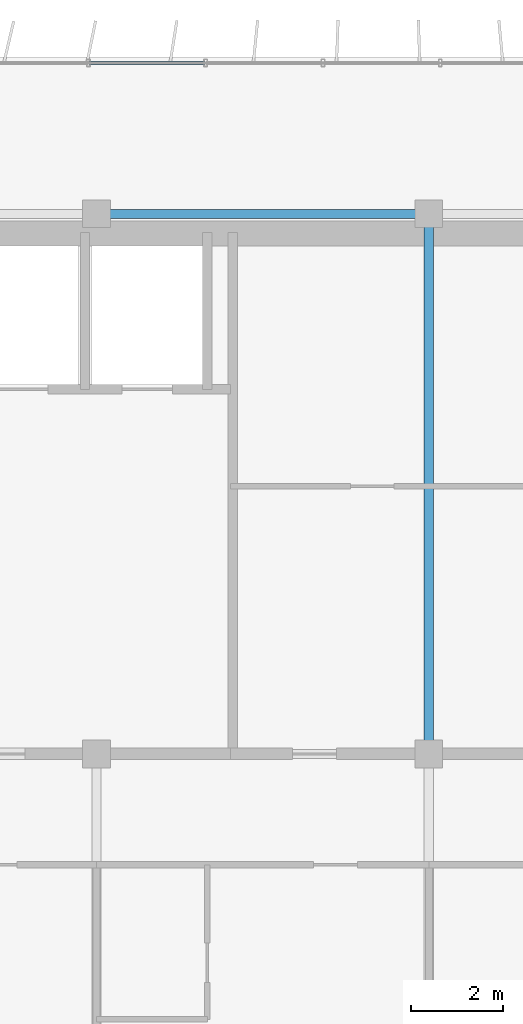
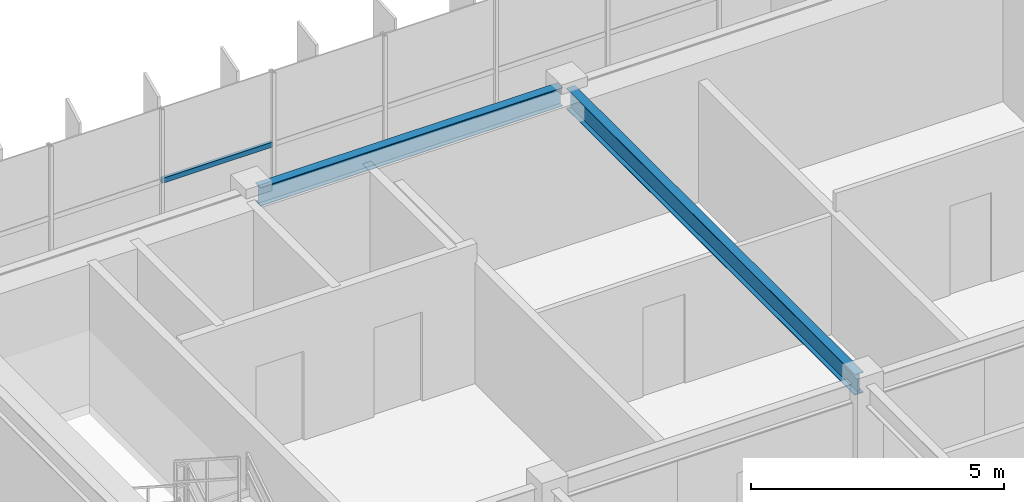
# One storey, part 7 of 23: 2 beams, 1 member, 1 element without a shape of its own.
"""IFC4 building model written with IfcOpenShell, lengths in metres."""

from ifc_helpers import new_model, si_unit, direction, frame, origin, origin_2d, place, context, subcontext, project, spatial, hollow_rectangle, i_section, extrude, source, transform, mapped, material, material_profile, profile_set, type_object, element, aggregate, save


model = new_model("IFC4")

# Units and contexts
model_context = context("Model", 3, precision=1e-05, world=origin(), true_north=direction((0.0, 1.0)))
body_context = subcontext(model_context, "Body", "Model", "MODEL_VIEW")
ifc_project = project(units=[si_unit("LENGTHUNIT", "METRE"), si_unit("AREAUNIT", "SQUARE_METRE"), si_unit("VOLUMEUNIT", "CUBIC_METRE"), si_unit("PLANEANGLEUNIT", "RADIAN"), si_unit("MASSUNIT", "GRAM", prefix="KILO")], contexts=[model_context])

# Site, building, storey
site_placement = place(None, origin())
site = spatial("IfcSite", under=ifc_project, at=site_placement, CompositionType="ELEMENT")
building_placement = place(site_placement, origin())
building = spatial("IfcBuilding", under=site, at=building_placement, Name="Trelvane Seafront Commons", CompositionType="ELEMENT")
storey_placement = place(building_placement, frame((0.0, 0.0, 259.5)))
storey = spatial("IfcBuildingStorey", under=building, at=storey_placement, Name="L67", CompositionType="ELEMENT", Elevation=259.5)

# Beams
ifc_material_1 = material(Name="Steel SM355 (S355)", Category="steel")
ifc_material_profile_1 = material_profile(ifc_material_1, i_section(OverallWidth=0.199951171875, OverallDepth=0.5, WebThickness=0.010009765625, FlangeThickness=0.01611328125, at=origin_2d()), Name="H-500x200x10x16")
ifc_profile_set_1 = profile_set([ifc_material_profile_1], Name="Steel SM355 (S355)")
beam_type_1 = type_object("IfcBeamType", Name="STR-BM-H500", PredefinedType="BEAM", material=ifc_profile_set_1)
shared_shape_1 = source(origin(), body_context, "Body", "SweptSolid", [
    extrude(i_section(OverallWidth=0.199951171875, OverallDepth=0.5, WebThickness=0.010009765625, FlangeThickness=0.01611328125, at=origin_2d()), origin(), (0.0, 0.0, 1.0), 11.39990234375),
])
beam_1_placement = place(storey_placement, frame((30.60009765625, 33.550048828125, 3.1201171875), z_axis=(0.0, 1.0, 0.0), x_axis=(-1.0, 0.0, 0.0)))
element("IfcBeam", 1, at=beam_1_placement, inside=storey, type_object=beam_type_1, Name="L67 Primary Girder G-40", PredefinedType="BEAM", context=body_context, shape_type="MappedRepresentation", body=[
    mapped(shared_shape_1, transform((0.0, 0.0, 0.0), x_axis=(1.0, 0.0, 0.0), y_axis=(0.0, 1.0, 0.0), z_axis=(0.0, 0.0, 1.0), scale=1.0)),
])
ifc_material_profile_2 = material_profile(ifc_material_1, i_section(OverallWidth=0.199951171875, OverallDepth=0.449951171875, WebThickness=0.009033203125, FlangeThickness=0.013916015625, at=origin_2d()), Name="H-450x200x9x14")
ifc_profile_set_2 = profile_set([ifc_material_profile_2], Name="Steel SM355 (S355)")
beam_type_2 = type_object("IfcBeamType", Name="STR-SPD-H450", PredefinedType="SPANDREL", material=ifc_profile_set_2)
shared_shape_2 = source(origin(), body_context, "Body", "SweptSolid", [
    extrude(i_section(OverallWidth=0.199951171875, OverallDepth=0.449951171875, WebThickness=0.009033203125, FlangeThickness=0.013916015625, at=origin_2d()), origin(), (0.0, 0.0, 1.0), 6.89990234375),
])
beam_2_placement = place(storey_placement, frame((23.550048828125, 45.10009765625, 3.14501953125), z_axis=(1.0, 0.0, 0.0), x_axis=(0.0, 1.0, 0.0)))
element("IfcBeam", 2, at=beam_2_placement, inside=storey, type_object=beam_type_2, Name="L67 Primary Girder G-24", PredefinedType="SPANDREL", context=body_context, shape_type="MappedRepresentation", body=[
    mapped(shared_shape_2, transform((0.0, 0.0, 0.0), x_axis=(1.0, 0.0, 0.0), y_axis=(0.0, 1.0, 0.0), z_axis=(0.0, 0.0, 1.0), scale=1.0)),
])

# Curtain wall, member
ifc_material_2 = material(Name="Anodised pale-silver aluminium", Category="aluminium")
curtain_wall_type = type_object("IfcCurtainWallType", Name="ARCH-CW5-UPTOWER", PredefinedType="NOTDEFINED", material=ifc_material_2)
curtain_wall_placement = place(storey_placement, origin())
curtain_wall = element("IfcCurtainWall", 3, at=curtain_wall_placement, inside=storey, type_object=curtain_wall_type, Name="CW-L67-0111", PredefinedType="NOTDEFINED")
ifc_material_profile_3 = material_profile(ifc_material_2, hollow_rectangle(XDim=0.070068359375, YDim=0.1201171875, WallThickness=0.00390625, at=origin_2d()), Name="TRAN-70x120x4")
ifc_profile_set_3 = profile_set([ifc_material_profile_3], Name="Anodised pale-silver aluminium")
member_type = type_object("IfcMemberType", Name="ARCH-CW-TRAN-120", PredefinedType="USERDEFINED", material=ifc_profile_set_3)
shared_shape_3 = source(origin(), body_context, "Body", "SweptSolid", [
    extrude(hollow_rectangle(XDim=0.070068359375, YDim=0.1201171875, WallThickness=0.00390625, at=origin_2d()), origin(), (0.0, 0.0, 1.0), 2.51708984375),
])
member_placement = place(storey_placement, frame((23.235595703125, 48.3701171875, 1.617919921875), z_axis=(1.0, 0.0, 0.0), x_axis=(0.0, 1.0, 0.0)))
member = element("IfcMember", 4, at=member_placement, type_object=member_type, Name="CW-L67-0111-T03", ObjectType="TRANSOM", PredefinedType="USERDEFINED", context=body_context, shape_type="MappedRepresentation", body=[
    mapped(shared_shape_3, transform((0.0, 0.0, 0.0), x_axis=(1.0, 0.0, 0.0), y_axis=(0.0, 1.0, 0.0), z_axis=(0.0, 0.0, 1.0), scale=1.0)),
])
aggregate(curtain_wall, [member])

save(model, "model.ifc")
